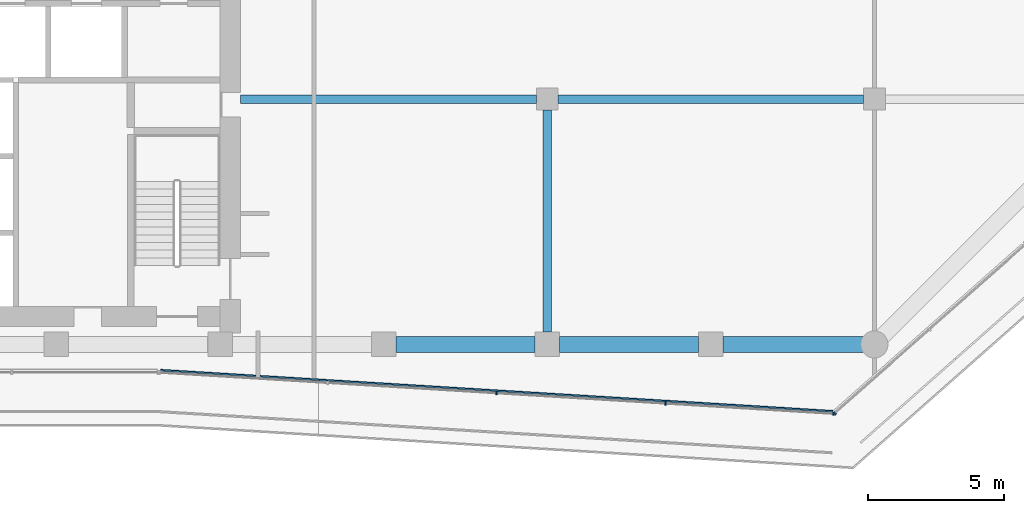
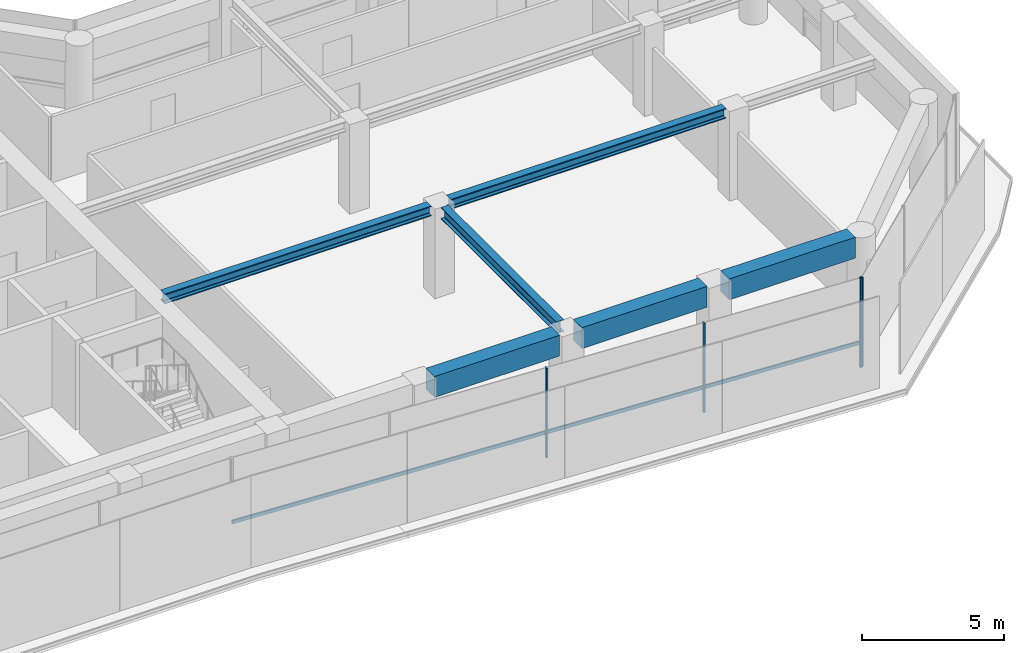
# One storey, part 6 of 24: 6 beams, 5 members, 2 elements without a shape of their own.
"""IFC4 building model written with IfcOpenShell, lengths in metres."""

from ifc_helpers import new_model, si_unit, direction, frame, origin, origin_2d, place, context, subcontext, project, spatial, rectangle, i_section, extrude, material, layer, layer_set, material_profile, profile_set, type_object, element, aggregate, save


model = new_model("IFC4")

# Units and contexts
model_context = context("Model", 3, precision=1e-05, world=origin(), true_north=direction((0.0, 1.0)))
body_context = subcontext(model_context, "Body", "Model", "MODEL_VIEW")
ifc_project = project(units=[si_unit("LENGTHUNIT", "METRE"), si_unit("AREAUNIT", "SQUARE_METRE"), si_unit("VOLUMEUNIT", "CUBIC_METRE"), si_unit("PLANEANGLEUNIT", "RADIAN"), si_unit("MASSUNIT", "GRAM", prefix="KILO")], contexts=[model_context])

# Site, building, storey
site_placement = place(None, origin())
site = spatial("IfcSite", under=ifc_project, at=site_placement, CompositionType="ELEMENT")
building_placement = place(site_placement, origin())
building = spatial("IfcBuilding", under=site, at=building_placement, Name="Welwitschia Terrace Campus", CompositionType="ELEMENT")
storey_placement = place(building_placement, frame((0.0, 0.0, 125.60009765625)))
storey = spatial("IfcBuildingStorey", under=building, at=storey_placement, Name="L28", CompositionType="ELEMENT", Elevation=125.60009765625)

# Beams
ifc_material_1 = material(Name="Steel S355", Category="steel")
ifc_material_profile_1 = material_profile(ifc_material_1, i_section(OverallWidth=0.306884765625, OverallDepth=0.431884765625, WebThickness=0.02099609375, FlangeThickness=0.0400390625, FilletRadius=0.027099609375, at=origin_2d()))
ifc_profile_set_1 = profile_set([ifc_material_profile_1], Name="Steel S355")
beam_type_1 = type_object("IfcBeamType", Name="Interior girder HE 400 M", PredefinedType="BEAM", material=ifc_profile_set_1)
beam_1_placement = place(storey_placement, frame((24.7509765625, 13.0, 3.6337890625), z_axis=(1.0, 0.0, 0.0), x_axis=(0.0, 1.0, 0.0)))
element("IfcBeam", 1, at=beam_1_placement, inside=storey, type_object=beam_type_1, Name="Girder GB3", PredefinedType="BEAM", context=body_context, shape_type="SweptSolid", body=[
    extrude(i_section(OverallWidth=0.306884765625, OverallDepth=0.431884765625, WebThickness=0.02099609375, FlangeThickness=0.0400390625, FilletRadius=0.027099609375, at=origin_2d()), origin(), (0.0, 0.0, 1.0), 10.8486328125),
])
beam_2_placement = place(storey_placement, frame((36.400390625, 13.0, 3.6337890625), z_axis=(1.0, 0.0, 0.0), x_axis=(0.0, 1.0, 0.0)))
element("IfcBeam", 2, at=beam_2_placement, inside=storey, type_object=beam_type_1, Name="Girder GB3", PredefinedType="BEAM", context=body_context, shape_type="SweptSolid", body=[
    extrude(i_section(OverallWidth=0.306884765625, OverallDepth=0.431884765625, WebThickness=0.02099609375, FlangeThickness=0.0400390625, FilletRadius=0.027099609375, at=origin_2d()), origin(), (0.0, 0.0, 1.0), 11.19921875),
])

# Curtain wall, members
ifc_material_2 = material(Name="Bronze anodised aluminium", Category="aluminium")
ifc_layer = layer(ifc_material_2, 0.1201171875)
ifc_layer_set = layer_set([ifc_layer], Name="Bronze anodised aluminium")
curtain_wall_type = type_object("IfcCurtainWallType", Name="Curtain wall CW2 tower 6000", PredefinedType="NOTDEFINED", material=ifc_layer_set)
curtain_wall_1_placement = place(storey_placement, origin())
curtain_wall_1 = element("IfcCurtainWall", 3, at=curtain_wall_1_placement, inside=storey, type_object=curtain_wall_type, Name="CW L28.3.0", PredefinedType="NOTDEFINED")
ifc_material_3 = material(Name="Bronze anodised aluminium", Category="aluminium")
ifc_material_profile_2 = material_profile(ifc_material_3, rectangle(XDim=0.1201171875, YDim=0.06005859375, at=origin_2d()))
ifc_profile_set_2 = profile_set([ifc_material_profile_2], Name="Bronze anodised aluminium")
member_type_1 = type_object("IfcMemberType", Name="Mullion 60x120", PredefinedType="MULLION", material=ifc_profile_set_2)
member_1_placement = place(storey_placement, frame((34.14501953125, 2.212158203125, 0.0), z_axis=(0.0, 0.0, 1.0), x_axis=(0.061048539535, 0.998134798422, 0.0)))
member_1 = element("IfcMember", 4, at=member_1_placement, type_object=member_type_1, Name="Mullion L28.3.0.2", PredefinedType="MULLION", context=body_context, shape_type="SweptSolid", body=[
    extrude(rectangle(XDim=0.1201171875, YDim=0.06005859375, at=origin_2d()), origin(), (0.0, 0.0, 1.0), 3.849853515625),
])
member_2_placement = place(storey_placement, frame((40.339599609375, 1.833251953125, 0.0), z_axis=(0.0, 0.0, 1.0), x_axis=(0.061048539535, 0.998134798422, 0.0)))
member_2 = element("IfcMember", 5, at=member_2_placement, type_object=member_type_1, Name="Mullion L28.3.0.3", PredefinedType="MULLION", context=body_context, shape_type="SweptSolid", body=[
    extrude(rectangle(XDim=0.1201171875, YDim=0.06005859375, at=origin_2d()), origin(), (0.0, 0.0, 1.0), 3.849853515625),
])
member_3_placement = place(storey_placement, frame((46.50439453125, 1.456298828125, 0.0), z_axis=(0.0, 0.0, 1.0), x_axis=(0.061048539535, 0.998134798422, 0.0)))
member_3 = element("IfcMember", 6, at=member_3_placement, type_object=member_type_1, Name="Mullion L28.3.0.4", PredefinedType="MULLION", context=body_context, shape_type="SweptSolid", body=[
    extrude(rectangle(XDim=0.1201171875, YDim=0.06005859375, at=origin_2d()), origin(), (0.0, 0.0, 1.0), 3.849853515625),
])

# Curtain wall, member
curtain_wall_2_placement = place(storey_placement, origin())
curtain_wall_2 = element("IfcCurtainWall", 7, at=curtain_wall_2_placement, inside=storey, type_object=curtain_wall_type, Name="CW L28.4.0", PredefinedType="NOTDEFINED")
member_4_placement = place(storey_placement, frame((46.556884765625, 1.474365234375, 0.0), z_axis=(0.0, 0.0, 1.0), x_axis=(-0.662620048216, 0.748955720789, 0.0)))
member_4 = element("IfcMember", 8, at=member_4_placement, type_object=member_type_1, Name="Mullion L28.4.0.0", PredefinedType="MULLION", context=body_context, shape_type="SweptSolid", body=[
    extrude(rectangle(XDim=0.1201171875, YDim=0.06005859375, at=origin_2d()), origin(), (0.0, 0.0, 1.0), 3.849853515625),
])
aggregate(curtain_wall_2, [member_4])

# Beams
ifc_material_4 = material(Name="Steel S355", Category="steel")
ifc_material_profile_3 = material_profile(ifc_material_4, i_section(OverallWidth=0.300048828125, OverallDepth=0.5, WebThickness=0.014404296875, FlangeThickness=0.028076171875, FilletRadius=0.027099609375, at=origin_2d()))
ifc_profile_set_3 = profile_set([ifc_material_profile_3], Name="Steel S355")
beam_type_2 = type_object("IfcBeamType", Name="Primary beam HE 500 B", PredefinedType="BEAM", material=ifc_profile_set_3)
beam_3_placement = place(storey_placement, frame((36.0, 4.450439453125, 3.599853515625), z_axis=(0.0, 1.0, 0.0), x_axis=(-1.0, 0.0, 0.0)))
element("IfcBeam", 9, at=beam_3_placement, inside=storey, type_object=beam_type_2, Name="Primary beam PB3", PredefinedType="BEAM", context=body_context, shape_type="SweptSolid", body=[
    extrude(i_section(OverallWidth=0.300048828125, OverallDepth=0.5, WebThickness=0.014404296875, FlangeThickness=0.028076171875, FilletRadius=0.027099609375, at=origin_2d()), origin(), (0.0, 0.0, 1.0), 8.149169921875),
])
ifc_material_5 = material(Name="Concrete C60/75", Category="concrete")
ifc_material_profile_4 = material_profile(ifc_material_5, rectangle(XDim=0.60009765625, YDim=0.89990234375, at=origin_2d()))
ifc_profile_set_4 = profile_set([ifc_material_profile_4], Name="Concrete C60/75")
beam_type_3 = type_object("IfcBeamType", Name="Ring spandrel 600x900", PredefinedType="SPANDREL", material=ifc_profile_set_4)
for number, where, z_axis, x_axis, name in (
    (10, (30.450439453125, 4.0, 3.39990234375), (1.0, 0.0, 0.0), (0.0, 1.0, 0.0), "Spandrel SP2"),
    (11, (36.450439453125, 4.0, 3.39990234375), (1.0, 0.0, 0.0), (0.0, 1.0, 0.0), "Spandrel SP2"),
):
    element("IfcBeam", number, at=place(storey_placement, frame(where, z_axis=z_axis, x_axis=x_axis)), inside=storey, type_object=beam_type_3, Name=name, PredefinedType="SPANDREL", context=body_context, shape_type="SweptSolid", body=[
        extrude(rectangle(XDim=0.60009765625, YDim=0.89990234375, at=origin_2d()), origin(), (0.0, 0.0, 1.0), 5.09912109375),
    ])
beam_4_placement = place(storey_placement, frame((42.450439453125, 4.0, 3.39990234375), z_axis=(1.0, 0.0, 0.0), x_axis=(0.0, 1.0, 0.0)))
element("IfcBeam", 12, at=beam_4_placement, inside=storey, type_object=beam_type_3, Name="Spandrel SP2", PredefinedType="SPANDREL", context=body_context, shape_type="SweptSolid", body=[
    extrude(rectangle(XDim=0.60009765625, YDim=0.89990234375, at=origin_2d()), origin(), (0.0, 0.0, 1.0), 5.149169921875),
])

# Member
ifc_material_6 = material(Name="Bronze anodised aluminium", Category="aluminium")
ifc_material_profile_5 = material_profile(ifc_material_6, rectangle(XDim=0.06005859375, YDim=0.14990234375, at=origin_2d()))
ifc_profile_set_5 = profile_set([ifc_material_profile_5], Name="Bronze anodised aluminium")
member_type_2 = type_object("IfcMemberType", Name="Transom 60x150", PredefinedType="USERDEFINED", material=ifc_profile_set_5)
member_5_placement = place(storey_placement, frame((21.8212890625, 3.05615234375, 1.0), z_axis=(0.998135127774, -0.061043154435, 0.0), x_axis=(0.061043154435, 0.998135127774, 0.0)))
member_5 = element("IfcMember", 13, at=member_5_placement, type_object=member_type_2, Name="Transom L28.3.0", ObjectType="TRANSOM", PredefinedType="USERDEFINED", context=body_context, shape_type="SweptSolid", body=[
    extrude(rectangle(XDim=0.06005859375, YDim=0.14990234375, at=origin_2d()), origin(), (0.0, 0.0, 1.0), 24.704833984375),
])

aggregate(curtain_wall_1, [member_1, member_2, member_3, member_5])

save(model, "model.ifc")
